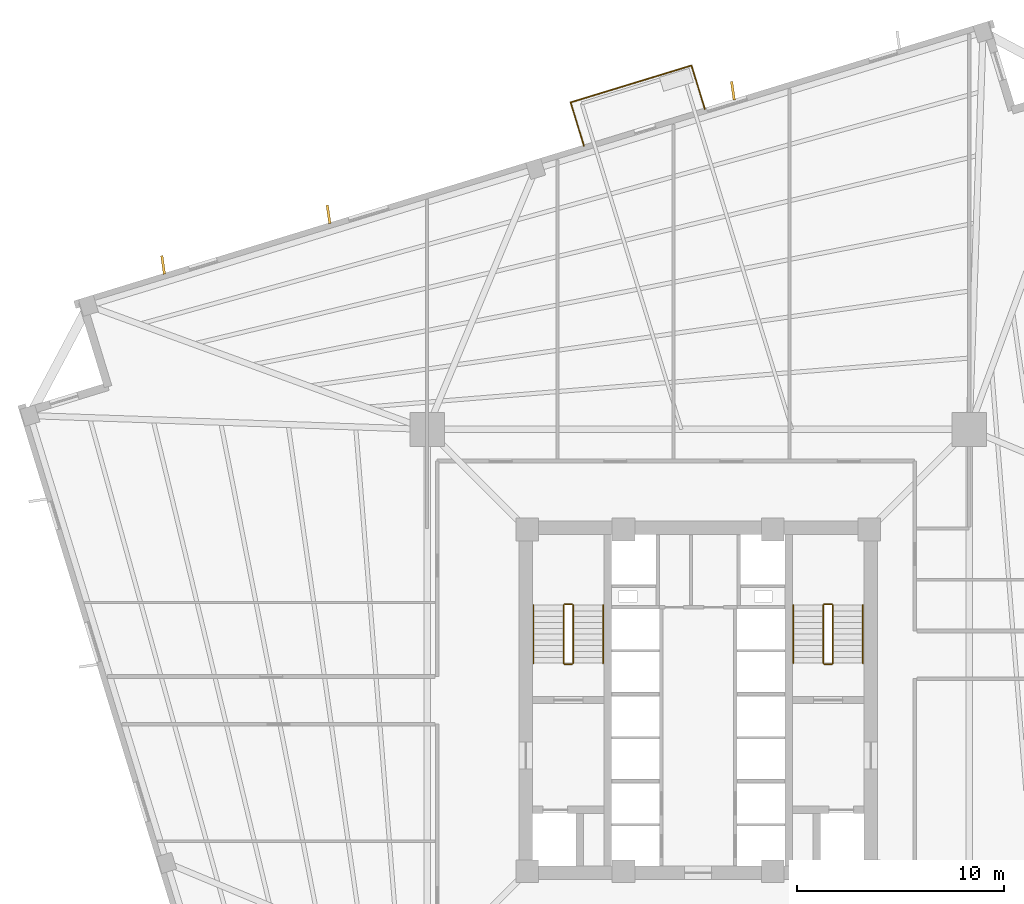
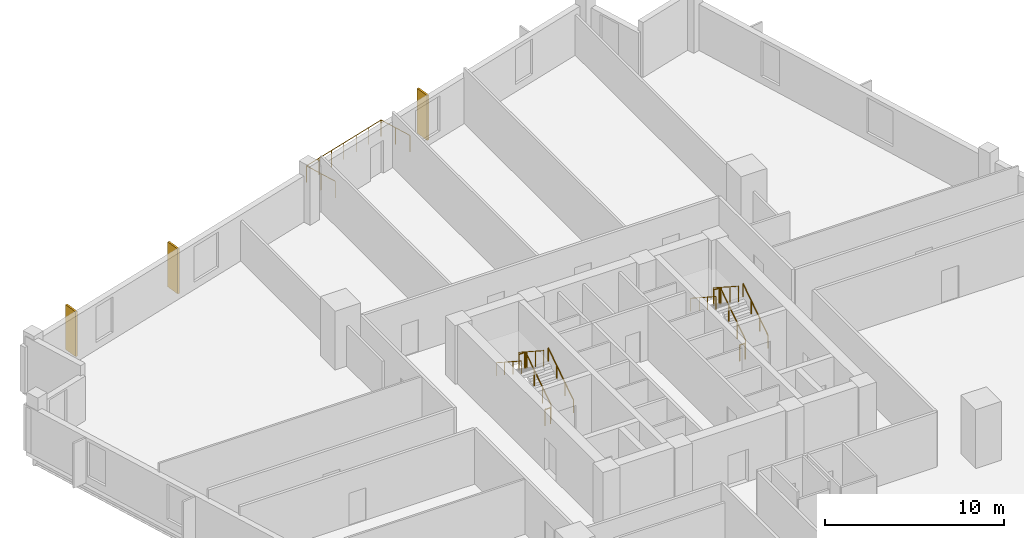
# One storey, part 7 of 8: 15 railings, 3 coverings.
"""IFC4 building model written with IfcOpenShell, lengths in metres."""

from ifc_helpers import new_model, si_unit, direction, frame, origin, origin_2d, place, context, subcontext, project, spatial, rectangle, circle, extrude, source, transform, mapped, material, layer, layer_set, type_object, element, save


model = new_model("IFC4")

# Units and contexts
model_context = context("Model", 3, precision=1e-05, world=origin(), true_north=direction((0.0, 1.0)))
body_context = subcontext(model_context, "Body", "Model", "MODEL_VIEW")
ifc_project = project(units=[si_unit("LENGTHUNIT", "METRE"), si_unit("AREAUNIT", "SQUARE_METRE"), si_unit("VOLUMEUNIT", "CUBIC_METRE"), si_unit("PLANEANGLEUNIT", "RADIAN"), si_unit("MASSUNIT", "GRAM", prefix="KILO"), si_unit("THERMODYNAMICTEMPERATUREUNIT", "KELVIN")], contexts=[model_context])

# Site, building, storey
site_placement = place(None, origin())
site = spatial("IfcSite", under=ifc_project, at=site_placement, CompositionType="ELEMENT")
building_placement = place(site_placement, origin())
building = spatial("IfcBuilding", under=site, at=building_placement, Name="Kosmvard Interchange Tower", CompositionType="ELEMENT")
storey_placement = place(building_placement, frame((0.0, 0.0, 91.199951171875)))
storey = spatial("IfcBuildingStorey", under=building, at=storey_placement, Name="L21", CompositionType="ELEMENT", Elevation=91.199951171875)

# Railings
ifc_material_1 = material(Name="Steel S355", Category="steel")
railing_type_1 = type_object("IfcRailingType", Name="Observation & Balcony Glass-Infill Balustrade 1150", PredefinedType="BALUSTRADE", material=ifc_material_1)
shared_shape_1 = source(origin(), body_context, "Body", "SweptSolid", [
    extrude(circle(Radius=0.02392578125, at=origin_2d()), frame((0.0, 0.0, 1.1259765625), z_axis=(-0.292424349234, 0.956288659336, 0.0), x_axis=(-0.956288659336, -0.292424349234, 0.0)), (0.0, 0.0, 1.0), 2.199951171875),
    extrude(circle(Radius=0.02099609375, at=origin_2d()), origin(), (0.0, 0.0, 1.0), 1.101806640625),
    extrude(circle(Radius=0.02099609375, at=origin_2d()), frame((-0.32177734375, 1.0517578125, 0.0)), (0.0, 0.0, 1.0), 1.101806640625),
    extrude(circle(Radius=0.02099609375, at=origin_2d()), frame((-0.643310546875, 2.103759765625, 0.0)), (0.0, 0.0, 1.0), 1.101806640625),
])
railing_1_placement = place(storey_placement, frame((0.319580078125, 28.54052734375, 0.0)))
element("IfcRailing", 1, at=railing_1_placement, inside=storey, type_object=railing_type_1, Name="L21 Outdoor Terrace Guard BAL-L21-N-A", PredefinedType="BALUSTRADE", context=body_context, shape_type="MappedRepresentation", body=[
    mapped(shared_shape_1, transform((0.0, 0.0, 0.0), scale=1.0)),
])
shared_shape_2 = source(origin(), body_context, "Body", "SweptSolid", [
    extrude(circle(Radius=0.02392578125, at=origin_2d()), frame((0.0, 0.0, 1.1259765625), z_axis=(0.292424349234, -0.956288659336, 0.0), x_axis=(0.956288659336, 0.292424349234, 0.0)), (0.0, 0.0, 1.0), 2.199951171875),
    extrude(circle(Radius=0.02099609375, at=origin_2d()), origin(), (0.0, 0.0, 1.0), 1.101806640625),
    extrude(circle(Radius=0.02099609375, at=origin_2d()), frame((0.32177734375, -1.0517578125, 0.0)), (0.0, 0.0, 1.0), 1.101806640625),
    extrude(circle(Radius=0.02099609375, at=origin_2d()), frame((0.643310546875, -2.103759765625, 0.0)), (0.0, 0.0, 1.0), 1.101806640625),
])
railing_2_placement = place(storey_placement, frame((-6.1572265625, 28.86083984375, 0.0)))
element("IfcRailing", 2, at=railing_2_placement, inside=storey, type_object=railing_type_1, Name="L21 Outdoor Terrace Guard BAL-L21-N-C", PredefinedType="BALUSTRADE", context=body_context, shape_type="MappedRepresentation", body=[
    mapped(shared_shape_2, transform((0.0, 0.0, 0.0), scale=1.0)),
])

# Coverings
ifc_material_2 = material(Name="Architectural anodised aluminium", Category="aluminium")
ifc_layer = layer(ifc_material_2, 0.1201171875, Name="Architectural anodised aluminium")
ifc_layer_set = layer_set([ifc_layer], Name="Architectural anodised aluminium")
covering_type = type_object("IfcCoveringType", Name="Rotating Vertical Sun-Breaker Fin 900x120 Aluminium", PredefinedType="CLADDING", material=ifc_layer_set)
shared_shape_3 = source(origin(), body_context, "Body", "SweptSolid", [
    extrude(rectangle(XDim=0.89990234375, YDim=0.1201171875, at=origin_2d()), origin(), (0.0, 0.0, 1.0), 3.06005859375),
])
for number, where, z_axis, x_axis, name in (
    (3, (1.673583984375, 29.425048828125, 0.0400390625), (0.0, 0.0, 1.0), (-0.142801680073, 0.989751322388, 0.0), "L21 Rotating Vertical Sun-Breaker Fin 10"),
    (4, (-17.841796875, 23.45849609375, 0.0400390625), (0.0, 0.0, 1.0), (-0.142801680073, 0.989751322388, 0.0), "L21 Rotating Vertical Sun-Breaker Fin 11"),
    (5, (-25.825439453125, 21.017822265625, 0.0400390625), (0.0, 0.0, 1.0), (-0.142801680073, 0.989751322388, 0.0), "L21 Rotating Vertical Sun-Breaker Fin 12"),
):
    element("IfcCovering", number, at=place(storey_placement, frame(where, z_axis=z_axis, x_axis=x_axis)), inside=storey, type_object=covering_type, Name=name, PredefinedType="CLADDING", context=body_context, shape_type="MappedRepresentation", body=[
        mapped(shared_shape_3, transform((0.0, 0.0, 0.0), scale=1.0)),
    ])

# Railings
shared_shape_4 = source(origin(), body_context, "Body", "SweptSolid", [
    extrude(circle(Radius=0.02392578125, at=origin_2d()), frame((0.0, 0.0, 1.1259765625), z_axis=(-0.956306198406, -0.292366986664, 0.0), x_axis=(0.292366986664, -0.956306198406, 0.0)), (0.0, 0.0, 1.0), 6.10009765625),
    extrude(circle(Radius=0.02099609375, at=origin_2d()), origin(), (0.0, 0.0, 1.0), 1.101806640625),
    extrude(circle(Radius=0.02099609375, at=origin_2d()), frame((-0.97216796875, -0.29736328125, 0.0)), (0.0, 0.0, 1.0), 1.101806640625),
    extrude(circle(Radius=0.02099609375, at=origin_2d()), frame((-1.944580078125, -0.594482421875, 0.0)), (0.0, 0.0, 1.0), 1.101806640625),
    extrude(circle(Radius=0.02099609375, at=origin_2d()), frame((-2.916748046875, -0.8916015625, 0.0)), (0.0, 0.0, 1.0), 1.101806640625),
    extrude(circle(Radius=0.02099609375, at=origin_2d()), frame((-3.888916015625, -1.18896484375, 0.0)), (0.0, 0.0, 1.0), 1.101806640625),
    extrude(circle(Radius=0.02099609375, at=origin_2d()), frame((-4.861328125, -1.486328125, 0.0)), (0.0, 0.0, 1.0), 1.101806640625),
    extrude(circle(Radius=0.02099609375, at=origin_2d()), frame((-5.83349609375, -1.783447265625, 0.0)), (0.0, 0.0, 1.0), 1.101806640625),
])
railing_3_placement = place(storey_placement, frame((-0.32373046875, 30.644287109375, 0.0)))
element("IfcRailing", 6, at=railing_3_placement, inside=storey, type_object=railing_type_1, Name="L21 Outdoor Terrace Guard BAL-L21-N-B", PredefinedType="BALUSTRADE", context=body_context, shape_type="MappedRepresentation", body=[
    mapped(shared_shape_4, transform((0.0, 0.0, 0.0), scale=1.0)),
])
railing_type_2 = type_object("IfcRailingType", Name="Stair & Terrace Safety Guardrail 1100 Steel", PredefinedType="GUARDRAIL", material=ifc_material_1)
shared_shape_5 = source(origin(), body_context, "Body", "SweptSolid", [
    extrude(circle(Radius=0.02392578125, at=origin_2d()), frame((0.0, 0.0, 1.076171875), z_axis=(-1.0, 0.0, 0.0), x_axis=(0.0, -1.0, 0.0)), (0.0, 0.0, 1.0), 0.35986328125),
    extrude(circle(Radius=0.02099609375, at=origin_2d()), origin(), (0.0, 0.0, 1.0), 1.052001953125),
    extrude(circle(Radius=0.02099609375, at=origin_2d()), frame((-0.35986328125, 0.0, 0.0)), (0.0, 0.0, 1.0), 1.052001953125),
])
for number, where, name in (
    (7, (-6.090087890625, 4.64990234375, 2.0), "L21 ST-1 stair guard 2"),
    (8, (-6.090087890625, 1.75, 0.0), "L21 ST-1 stair guard 4"),
    (9, (6.449951171875, 4.64990234375, 2.0), "L21 ST-2 stair guard 2"),
    (10, (6.449951171875, 1.75, 0.0), "L21 ST-2 stair guard 4"),
):
    element("IfcRailing", number, at=place(storey_placement, frame(where)), inside=storey, type_object=railing_type_2, Name=name, PredefinedType="GUARDRAIL", context=body_context, shape_type="MappedRepresentation", body=[
        mapped(shared_shape_5, transform((0.0, 0.0, 0.0), scale=1.0)),
    ])
shared_shape_6 = source(origin(), body_context, "Body", "SweptSolid", [
    extrude(circle(Radius=0.02392578125, at=origin_2d()), frame((0.0, 0.0, 1.076171875), z_axis=(0.0, 0.838705829183, 0.544584733623), x_axis=(-1.0, 0.0, 0.0)), (0.0, 0.0, 1.0), 3.338623046875),
    extrude(circle(Radius=0.02099609375, at=origin_2d()), origin(), (0.0, 0.0, 1.0), 1.052001953125),
    extrude(circle(Radius=0.02099609375, at=origin_2d()), frame((0.0, 0.933349609375, 0.60595703125)), (0.0, 0.0, 1.0), 1.052001953125),
    extrude(circle(Radius=0.02099609375, at=origin_2d()), frame((0.0, 1.86669921875, 1.212158203125)), (0.0, 0.0, 1.0), 1.052001953125),
    extrude(circle(Radius=0.02099609375, at=origin_2d()), frame((0.0, 2.800048828125, 1.818115234375)), (0.0, 0.0, 1.0), 1.052001953125),
])
for number, where, name in (
    (11, (-6.0400390625, 1.800048828125, 0.181884765625), "L21 ST-1 stair guard 1"),
    (12, (6.5, 1.800048828125, 0.181884765625), "L21 ST-2 stair guard 1"),
):
    element("IfcRailing", number, at=place(storey_placement, frame(where)), inside=storey, type_object=railing_type_2, Name=name, PredefinedType="GUARDRAIL", context=body_context, shape_type="MappedRepresentation", body=[
        mapped(shared_shape_6, transform((0.0, 0.0, 0.0), scale=1.0)),
    ])
shared_shape_7 = source(origin(), body_context, "Body", "SweptSolid", [
    extrude(circle(Radius=0.02392578125, at=origin_2d()), frame((0.0, 0.0, 1.076171875), z_axis=(0.0, -0.838705829183, 0.544584733623), x_axis=(1.0, 0.0, 0.0)), (0.0, 0.0, 1.0), 3.338623046875),
    extrude(circle(Radius=0.02099609375, at=origin_2d()), origin(), (0.0, 0.0, 1.0), 1.052001953125),
    extrude(circle(Radius=0.02099609375, at=origin_2d()), frame((0.0, -0.933349609375, 0.60595703125)), (0.0, 0.0, 1.0), 1.052001953125),
    extrude(circle(Radius=0.02099609375, at=origin_2d()), frame((0.0, -1.86669921875, 1.212158203125)), (0.0, 0.0, 1.0), 1.052001953125),
    extrude(circle(Radius=0.02099609375, at=origin_2d()), frame((0.0, -2.800048828125, 1.818115234375)), (0.0, 0.0, 1.0), 1.052001953125),
])
for number, where, name in (
    (13, (-6.5, 4.60009765625, 2.181884765625), "L21 ST-1 stair guard 3"),
    (14, (6.0400390625, 4.60009765625, 2.181884765625), "L21 ST-2 stair guard 3"),
):
    element("IfcRailing", number, at=place(storey_placement, frame(where)), inside=storey, type_object=railing_type_2, Name=name, PredefinedType="GUARDRAIL", context=body_context, shape_type="MappedRepresentation", body=[
        mapped(shared_shape_7, transform((0.0, 0.0, 0.0), scale=1.0)),
    ])
railing_type_3 = type_object("IfcRailingType", Name="Wall-Mounted Stair Handrail 900 Steel", PredefinedType="HANDRAIL", material=ifc_material_1)
shared_shape_8 = source(origin(), body_context, "Body", "SweptSolid", [
    extrude(circle(Radius=0.02392578125, at=origin_2d()), frame((0.0, 0.0, 0.8759765625), z_axis=(0.0, 0.838705829183, 0.544584733623), x_axis=(-1.0, 0.0, 0.0)), (0.0, 0.0, 1.0), 3.338623046875),
    extrude(circle(Radius=0.02099609375, at=origin_2d()), origin(), (0.0, 0.0, 1.0), 0.851806640625),
    extrude(circle(Radius=0.02099609375, at=origin_2d()), frame((0.0, 0.933349609375, 0.60595703125)), (0.0, 0.0, 1.0), 0.851806640625),
    extrude(circle(Radius=0.02099609375, at=origin_2d()), frame((0.0, 1.86669921875, 1.212158203125)), (0.0, 0.0, 1.0), 0.851806640625),
    extrude(circle(Radius=0.02099609375, at=origin_2d()), frame((0.0, 2.800048828125, 1.818115234375)), (0.0, 0.0, 1.0), 0.851806640625),
])
for number, where, name in (
    (15, (-4.590087890625, 1.800048828125, 0.181884765625), "L21 ST-1 stair handrail 1"),
    (16, (7.949951171875, 1.800048828125, 0.181884765625), "L21 ST-2 stair handrail 1"),
):
    element("IfcRailing", number, at=place(storey_placement, frame(where)), inside=storey, type_object=railing_type_3, Name=name, PredefinedType="HANDRAIL", context=body_context, shape_type="MappedRepresentation", body=[
        mapped(shared_shape_8, transform((0.0, 0.0, 0.0), scale=1.0)),
    ])
shared_shape_9 = source(origin(), body_context, "Body", "SweptSolid", [
    extrude(circle(Radius=0.02392578125, at=origin_2d()), frame((0.0, 0.0, 0.8759765625), z_axis=(0.0, -0.838705829183, 0.544584733623), x_axis=(1.0, 0.0, 0.0)), (0.0, 0.0, 1.0), 3.338623046875),
    extrude(circle(Radius=0.02099609375, at=origin_2d()), origin(), (0.0, 0.0, 1.0), 0.851806640625),
    extrude(circle(Radius=0.02099609375, at=origin_2d()), frame((0.0, -0.933349609375, 0.60595703125)), (0.0, 0.0, 1.0), 0.851806640625),
    extrude(circle(Radius=0.02099609375, at=origin_2d()), frame((0.0, -1.86669921875, 1.212158203125)), (0.0, 0.0, 1.0), 0.851806640625),
    extrude(circle(Radius=0.02099609375, at=origin_2d()), frame((0.0, -2.800048828125, 1.818115234375)), (0.0, 0.0, 1.0), 0.851806640625),
])
for number, where, name in (
    (17, (-7.949951171875, 4.60009765625, 2.181884765625), "L21 ST-1 stair handrail 2"),
    (18, (4.590087890625, 4.60009765625, 2.181884765625), "L21 ST-2 stair handrail 2"),
):
    element("IfcRailing", number, at=place(storey_placement, frame(where)), inside=storey, type_object=railing_type_3, Name=name, PredefinedType="HANDRAIL", context=body_context, shape_type="MappedRepresentation", body=[
        mapped(shared_shape_9, transform((0.0, 0.0, 0.0), scale=1.0)),
    ])

save(model, "model.ifc")
